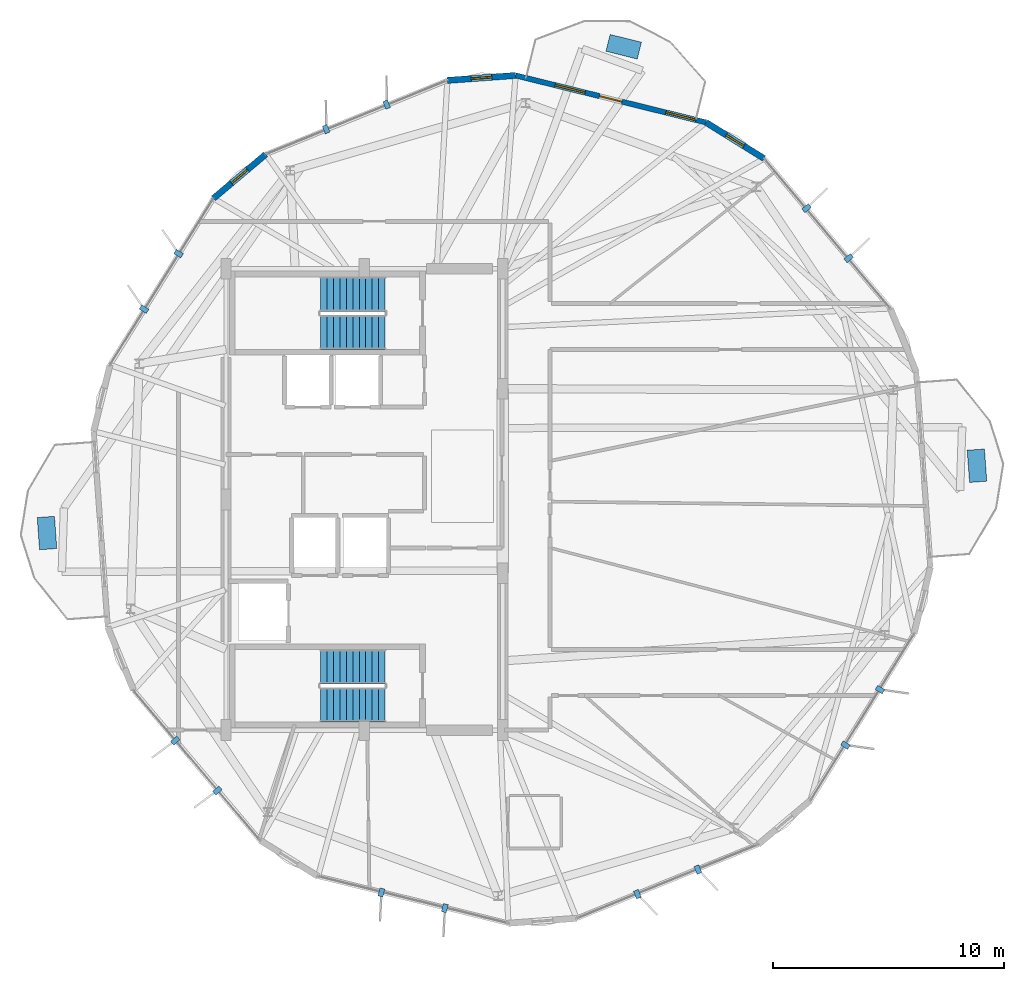
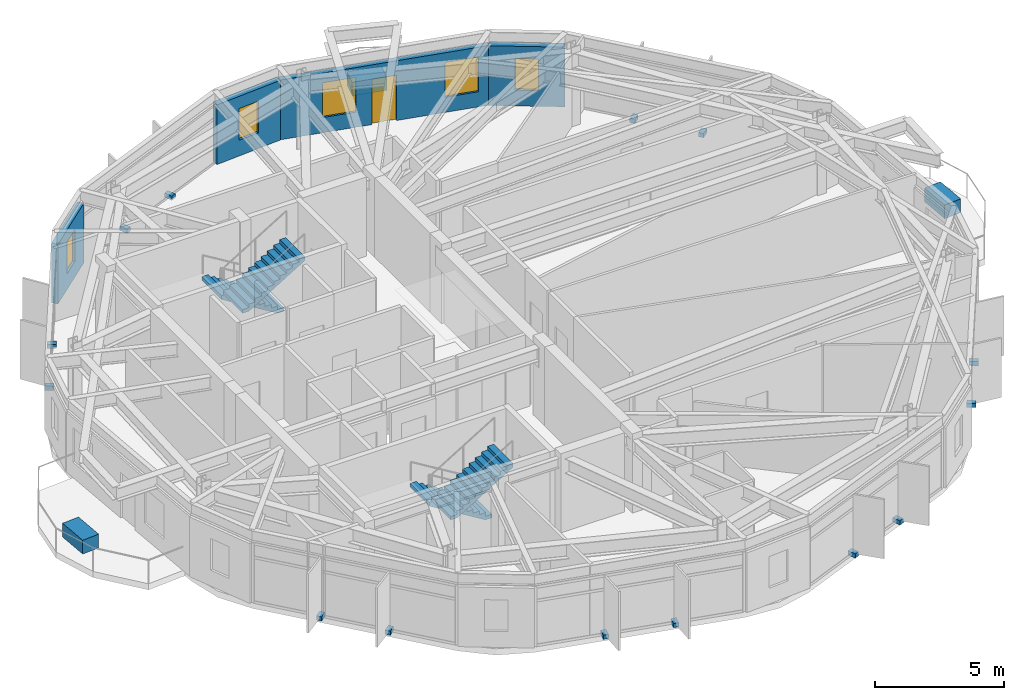
# One storey, part 23 of 26: 17 discrete accessories, 5 windows, 4 stair flights, 4 walls, 1 door, 6 openings, 2 elements without a shape of their own.
"""IFC4 building model written with IfcOpenShell, lengths in metres."""

import ifcopenshell
import ifcopenshell.guid

model = None  # the IFC model being written
_history = None  # IfcOwnerHistory: only IFC2X3 demands one
_inside = {}  # id of a spatial element -> (the spatial element, [elements in it])
_under = {}  # id of a project, library or spatial element -> (it, [spatial elements below it])
_declared = {}  # id of a project -> (the project, [libraries it declares])
_typed = {}  # id of a type object -> (the type object, [elements of that type])
_made_of = {}  # id of a material, layer set ... -> (it, [elements and type objects made of it])


def new_model(schema):
    """Start an empty IFC model of exactly this schema.

    Asked for "IFC4X3", IfcOpenShell would pick the latest addendum, in which some entities
    have other attributes; the version numbers below select the first issue.
    IFC2X3 requires an IfcOwnerHistory on every rooted entity: one is made here for all.
    """
    global model, _history
    if schema == "IFC4X3":
        model = ifcopenshell.file(schema_version=(4, 3, 0, 0))
    else:
        model = ifcopenshell.file(schema=schema)
    _inside.clear()
    _under.clear()
    _declared.clear()
    _typed.clear()
    _made_of.clear()
    _history = None
    if model.schema == "IFC2X3":
        org = make("IfcOrganization", Name="unknown")
        user = make(
            "IfcPersonAndOrganization",
            ThePerson=make("IfcPerson", FamilyName="unknown"),
            TheOrganization=org,
        )
        app = make(
            "IfcApplication",
            ApplicationDeveloper=org,
            Version="unknown",
            ApplicationFullName="unknown",
            ApplicationIdentifier="unknown",
        )
        _history = make(
            "IfcOwnerHistory",
            OwningUser=user,
            OwningApplication=app,
            ChangeAction="ADDED",
            CreationDate=0,
        )
    return model


def make(cls, **values):
    """One entity of the class cls with the attributes given. An attribute that is None is left unset."""
    return model.create_entity(
        cls, **{name: value for name, value in values.items() if value is not None}
    )


def rooted(cls, **values):
    """An entity with a GlobalId (a new one), such as an element, a storey or a relation."""
    return make(cls, GlobalId=ifcopenshell.guid.new(), OwnerHistory=_history, **values)


def si_unit(unit_type, name, prefix=None):
    """IfcSIUnit, for example si_unit("LENGTHUNIT", "METRE", prefix="MILLI")."""
    return make("IfcSIUnit", UnitType=unit_type, Prefix=prefix, Name=name)


def assignment(units):
    """IfcUnitAssignment: the units of a project."""
    return None if units is None else make("IfcUnitAssignment", Units=units)


def point(xyz):
    """IfcCartesianPoint."""
    return None if xyz is None else make("IfcCartesianPoint", Coordinates=xyz)


def direction(xyz):
    """IfcDirection."""
    return None if xyz is None else make("IfcDirection", DirectionRatios=xyz)


def frame(location, z_axis=None, x_axis=None):
    """IfcAxis2Placement3D, a coordinate frame: its origin and axes. An axis left out is left unset."""
    return make(
        "IfcAxis2Placement3D",
        Location=point(location),
        Axis=direction(z_axis),
        RefDirection=direction(x_axis),
    )


def frame_2d(location, x_axis=None):
    """IfcAxis2Placement2D, a coordinate frame in the plane: its origin and x axis."""
    return make(
        "IfcAxis2Placement2D", Location=point(location), RefDirection=direction(x_axis)
    )


def origin():
    """The frame at (0, 0, 0) with its axes left unset."""
    return frame((0.0, 0.0, 0.0))


def origin_2d():
    """The frame at (0, 0) in the plane with its x axis left unset."""
    return frame_2d((0.0, 0.0))


def place(relative_to, where):
    """IfcLocalPlacement: puts the frame where relative to a parent placement (None: the world)."""
    return make(
        "IfcLocalPlacement", PlacementRelTo=relative_to, RelativePlacement=where
    )


def context(
    kind, dimensions, precision=None, world=None, true_north=None, identifier=None
):
    """IfcGeometricRepresentationContext, for example the 3D "Model" context."""
    return make(
        "IfcGeometricRepresentationContext",
        ContextIdentifier=identifier,
        ContextType=kind,
        CoordinateSpaceDimension=dimensions,
        Precision=precision,
        WorldCoordinateSystem=world,
        TrueNorth=true_north,
    )


def subcontext(parent, identifier, kind, view, scale=None):
    """IfcGeometricRepresentationSubContext, for example "Body" below "Model"."""
    return make(
        "IfcGeometricRepresentationSubContext",
        ContextIdentifier=identifier,
        ContextType=kind,
        ParentContext=parent,
        TargetScale=scale,
        TargetView=view,
    )


def project(units=None, contexts=None):
    """IfcProject with its units and contexts."""
    return rooted(
        "IfcProject",
        Name="project",
        RepresentationContexts=contexts,
        UnitsInContext=assignment(units),
    )


def spatial(cls, under=None, at=None, **own):
    """A site, building, storey or space (cls), placed at a placement, below another one or the project."""
    s = rooted(cls, ObjectPlacement=at, **own)
    if under is not None:
        _under.setdefault(under.id(), (under, []))[1].append(s)
    return s


def polyline(points):
    """IfcPolyline through the points."""
    return make("IfcPolyline", Points=[point(p) for p in points])


def profile(cls, at=None, kind="AREA", **sizes):
    """A parametric profile (cls). Its sizes go by their IFC names, for example OverallWidth=200.0."""
    return make(cls, ProfileType=kind, Position=at, **sizes)


def rectangle(**sizes):
    """IfcRectangleProfileDef."""
    return profile("IfcRectangleProfileDef", **sizes)


def outline(outer, holes=None, kind="AREA"):
    """IfcArbitraryClosedProfileDef: a profile drawn as a closed curve; with holes, ...WithVoids."""
    if holes is None:
        return make("IfcArbitraryClosedProfileDef", ProfileType=kind, OuterCurve=outer)
    return make(
        "IfcArbitraryProfileDefWithVoids",
        ProfileType=kind,
        OuterCurve=outer,
        InnerCurves=holes,
    )


def extrude(swept, where, along, depth):
    """IfcExtrudedAreaSolid: the profile swept, set in the frame where, extruded along a direction by depth."""
    return make(
        "IfcExtrudedAreaSolid",
        SweptArea=swept,
        Position=where,
        ExtrudedDirection=direction(along),
        Depth=depth,
    )


def shape(context_of_items, identifier, shape_type, items):
    """IfcShapeRepresentation: the items that make up one representation, for example the "Body"."""
    return make(
        "IfcShapeRepresentation",
        ContextOfItems=context_of_items,
        RepresentationIdentifier=identifier,
        RepresentationType=shape_type,
        Items=items,
    )


def material(Name=None, Category=None):
    """IfcMaterial."""
    return make("IfcMaterial", Name=Name, Category=Category)


def layer(
    of_material, thickness, ventilated=None, Name=None, Category=None, Priority=None
):
    """IfcMaterialLayer: one layer of a wall or slab, of a material (None: an air gap)."""
    return make(
        "IfcMaterialLayer",
        Material=of_material,
        LayerThickness=thickness,
        IsVentilated=ventilated,
        Name=Name,
        Category=Category,
        Priority=Priority,
    )


def layer_set(layers, Name=None):
    """IfcMaterialLayerSet."""
    return make("IfcMaterialLayerSet", MaterialLayers=layers, LayerSetName=Name)


def made_of(thing, what):
    """Note that an element or type object is made of a material, layer set ...; save() writes the relation."""
    if what is not None:
        _made_of.setdefault(what.id(), (what, []))[1].append(thing)
    return thing


def type_object(cls, material=None, **own):
    """A type object (cls), such as IfcWallType, which elements share."""
    return made_of(rooted(cls, **own), material)


def element(
    cls,
    number,
    at=None,
    inside=None,
    cuts=None,
    type_object=None,
    material=None,
    context=None,
    identifier="Body",
    shape_type=None,
    held_by="IfcProductDefinitionShape",
    body=None,
    shapes=None,
    **own,
):
    """One element of the class cls, such as IfcWall. Its Tag is "e" and its number.

    at: its placement. inside: the storey or other place that contains it. cuts: it is an
    opening in that element (IfcRelVoidsElement). A single representation is given by context,
    identifier, shape_type and body (its items); several are given by shapes. held_by: the class
    of the entity that holds the representations. save() writes the other relations.
    """
    e = rooted(cls, Tag="e%d" % number, ObjectPlacement=at, **own)
    if body is not None:
        shapes = [shape(context, identifier, shape_type, body)]
    if shapes is not None:
        e.Representation = make(held_by, Representations=shapes)
    if inside is not None:
        _inside.setdefault(inside.id(), (inside, []))[1].append(e)
    if cuts is not None:
        rooted(
            "IfcRelVoidsElement", RelatingBuildingElement=cuts, RelatedOpeningElement=e
        )
    if type_object is not None:
        _typed.setdefault(type_object.id(), (type_object, []))[1].append(e)
    return made_of(e, material)


def fill(opening, filler):
    """IfcRelFillsElement: the door or window that sits in an opening."""
    return rooted(
        "IfcRelFillsElement",
        RelatingOpeningElement=opening,
        RelatedBuildingElement=filler,
    )


def aggregate(whole, parts):
    """IfcRelAggregates: a whole, such as a stair, and the parts it consists of."""
    return rooted("IfcRelAggregates", RelatingObject=whole, RelatedObjects=parts)


def save(model, path):
    """Write the relations noted so far, then the file.

    IfcRelAggregates (storeys below a building ...), IfcRelContainedInSpatialStructure (elements
    in a storey), IfcRelDefinesByType, IfcRelAssociatesMaterial and IfcRelDeclares: one each for
    every whole, place, type object, material and project.
    """
    for whole, parts in _under.values():
        aggregate(whole, parts)
    for where, things in _inside.values():
        rooted(
            "IfcRelContainedInSpatialStructure",
            RelatedElements=things,
            RelatingStructure=where,
        )
    for kind, things in _typed.values():
        rooted("IfcRelDefinesByType", RelatedObjects=things, RelatingType=kind)
    for what, things in _made_of.values():
        rooted("IfcRelAssociatesMaterial", RelatedObjects=things, RelatingMaterial=what)
    for by, libraries in _declared.values():
        rooted("IfcRelDeclares", RelatingContext=by, RelatedDefinitions=libraries)
    model.write(path)


model = new_model("IFC4")

# Units and contexts
model_context = context("Model", 3, precision=1e-05, world=origin(), true_north=direction((0.0, 1.0)))
body_context = subcontext(model_context, "Body", "Model", "MODEL_VIEW")
ifc_project = project(units=[si_unit("LENGTHUNIT", "METRE"), si_unit("AREAUNIT", "SQUARE_METRE"), si_unit("VOLUMEUNIT", "CUBIC_METRE"), si_unit("PLANEANGLEUNIT", "RADIAN"), si_unit("MASSUNIT", "GRAM", prefix="KILO")], contexts=[model_context])

# Site, building, storey
site_placement = place(None, origin())
site = spatial("IfcSite", under=ifc_project, at=site_placement, CompositionType="ELEMENT")
building_placement = place(site_placement, origin())
building = spatial("IfcBuilding", under=site, at=building_placement, Name="Soratama Intermodal Tower", CompositionType="ELEMENT")
storey_placement = place(building_placement, frame((0.0, 0.0, 246.25)))
storey = spatial("IfcBuildingStorey", under=building, at=storey_placement, Name="L62", CompositionType="ELEMENT", Elevation=246.25)

# Wall, openings, door, windows
ifc_material_1 = material(Name="Concrete f'c 42 MPa", Category="concrete")
ifc_layer_1 = layer(ifc_material_1, 0.22998046875)
ifc_layer_set_1 = layer_set([ifc_layer_1], Name="Concrete f'c 42 MPa")
wall_type_1 = type_object("IfcWallType", Name="EW-BAL-230", PredefinedType="SOLIDWALL", material=ifc_layer_set_1)
wall_1_placement = place(storey_placement, frame((53.4091796875, 41.34130859375, 0.0), z_axis=(0.0, 0.0, 1.0), x_axis=(-0.970889723336, 0.239526919408, 0.0)))
wall_1 = element("IfcWall", 1, at=wall_1_placement, inside=storey, type_object=wall_type_1, Name="L62 Terrace Wall F01", PredefinedType="SOLIDWALL", context=body_context, shape_type="SweptSolid", body=[
    extrude(rectangle(XDim=8.49951171875, YDim=0.22998046875, at=frame_2d((4.249755859375, 0.0))), origin(), (0.0, 0.0, 1.0), 2.8291015625),
])
opening_1_placement = place(wall_1_placement, frame((3.75, 0.0, 0.0)))
opening_1 = element("IfcOpeningElement", 2, at=opening_1_placement, cuts=wall_1, Name="Opening ED-2", PredefinedType="OPENING", context=body_context, shape_type="SweptSolid", body=[
    extrude(rectangle(XDim=1.0, YDim=2.14990234375, at=frame_2d((0.5, 1.074951171875))), frame((0.0, 0.125, 0.0), z_axis=(0.0, -1.0, 0.0), x_axis=(1.0, 0.0, 0.0)), (0.0, 0.0, 1.0), 0.25),
])
opening_2_placement = place(wall_1_placement, frame((0.43994140625, 0.0, 0.719970703125)))
opening_2 = element("IfcOpeningElement", 3, at=opening_2_placement, cuts=wall_1, Name="Opening WN-4", PredefinedType="OPENING", context=body_context, shape_type="SweptSolid", body=[
    extrude(rectangle(XDim=1.35009765625, YDim=1.64990234375, at=frame_2d((0.675048828125, 0.824951171875))), frame((0.0, 0.125, 0.0), z_axis=(0.0, -1.0, 0.0), x_axis=(1.0, 0.0, 0.0)), (0.0, 0.0, 1.0), 0.25),
])
opening_3_placement = place(wall_1_placement, frame((5.389892578125, 0.0, 0.719970703125)))
opening_3 = element("IfcOpeningElement", 4, at=opening_3_placement, cuts=wall_1, Name="Opening WN-4", PredefinedType="OPENING", context=body_context, shape_type="SweptSolid", body=[
    extrude(rectangle(XDim=1.35009765625, YDim=1.64990234375, at=frame_2d((0.675048828125, 0.824951171875))), frame((0.0, 0.125, 0.0), z_axis=(0.0, -1.0, 0.0), x_axis=(1.0, 0.0, 0.0)), (0.0, 0.0, 1.0), 0.25),
])
ifc_material_2 = material(Name="Double-glazed aluminium door", Category="aluminium")
door_type = type_object("IfcDoorType", Name="DR-BAL-1000", OperationType="NOTDEFINED", PredefinedType="DOOR", material=ifc_material_2)
door_placement = place(opening_1_placement, origin())
door = element("IfcDoor", 5, at=door_placement, inside=storey, type_object=door_type, Name="L62 Balcony Door F01", OperationType="SINGLE_SWING_LEFT", OverallHeight=2.14990234375, OverallWidth=1.0, PredefinedType="DOOR", context=body_context, shape_type="SweptSolid", body=[
    extrude(rectangle(XDim=1.0, YDim=2.14990234375, at=frame_2d((0.5, 1.074951171875))), frame((0.0, 0.02490234375, 0.0), z_axis=(0.0, -1.0, 0.0), x_axis=(1.0, 0.0, 0.0)), (0.0, 0.0, 1.0), 0.050048828125),
])
fill(opening_1, door)
ifc_material_3 = material(Name="Double-glazed aluminium window", Category="aluminium")
window_type_1 = type_object("IfcWindowType", Name="WN-FAC-1350", PartitioningType="SINGLE_PANEL", PredefinedType="WINDOW", material=ifc_material_3)
window_1_placement = place(opening_2_placement, origin())
window_1 = element("IfcWindow", 6, at=window_1_placement, inside=storey, type_object=window_type_1, Name="L62 Window A F01", OverallHeight=1.64990234375, OverallWidth=1.35009765625, PartitioningType="SINGLE_PANEL", PredefinedType="WINDOW", context=body_context, shape_type="SweptSolid", body=[
    extrude(rectangle(XDim=1.35009765625, YDim=1.64990234375, at=frame_2d((0.675048828125, 0.824951171875))), frame((0.0, 0.030029296875, 0.0), z_axis=(0.0, -1.0, 0.0), x_axis=(1.0, 0.0, 0.0)), (0.0, 0.0, 1.0), 0.06005859375),
])
fill(opening_2, window_1)
window_2_placement = place(opening_3_placement, origin())
window_2 = element("IfcWindow", 7, at=window_2_placement, inside=storey, type_object=window_type_1, Name="L62 Window B F01", OverallHeight=1.64990234375, OverallWidth=1.35009765625, PartitioningType="SINGLE_PANEL", PredefinedType="WINDOW", context=body_context, shape_type="SweptSolid", body=[
    extrude(rectangle(XDim=1.35009765625, YDim=1.64990234375, at=frame_2d((0.675048828125, 0.824951171875))), frame((0.0, 0.030029296875, 0.0), z_axis=(0.0, -1.0, 0.0), x_axis=(1.0, 0.0, 0.0)), (0.0, 0.0, 1.0), 0.06005859375),
])
fill(opening_3, window_2)

# Wall, opening, window
ifc_material_4 = material(Name="Concrete f'c 42 MPa", Category="concrete")
ifc_layer_2 = layer(ifc_material_4, 0.27001953125)
ifc_layer_set_2 = layer_set([ifc_layer_2], Name="Concrete f'c 42 MPa")
wall_type_2 = type_object("IfcWallType", Name="EW-CRN-270", PredefinedType="SOLIDWALL", material=ifc_layer_set_2)
wall_2_placement = place(storey_placement, frame((45.156982421875, 43.377197265625, 0.0), z_axis=(0.0, 0.0, 1.0), x_axis=(-0.997392270269, -0.072171041339, 0.0)))
wall_2 = element("IfcWall", 8, at=wall_2_placement, inside=storey, type_object=wall_type_2, Name="L62 Corner Closure Wall 01", PredefinedType="SOLIDWALL", context=body_context, shape_type="SweptSolid", body=[
    extrude(rectangle(XDim=2.966796875, YDim=0.27001953125, at=frame_2d((1.4833984375, 0.0))), origin(), (0.0, 0.0, 1.0), 2.8291015625),
])
opening_4_placement = place(wall_2_placement, frame((1.033203125, 0.0, 0.75)))
opening_4 = element("IfcOpeningElement", 9, at=opening_4_placement, cuts=wall_2, Name="Opening WN-6", PredefinedType="OPENING", context=body_context, shape_type="SweptSolid", body=[
    extrude(rectangle(XDim=0.89990234375, YDim=1.5, at=frame_2d((0.449951171875, 0.75))), frame((0.0, 0.14501953125, 0.0), z_axis=(0.0, -1.0, 0.0), x_axis=(1.0, 0.0, 0.0)), (0.0, 0.0, 1.0), 0.2900390625),
])
ifc_material_5 = material(Name="Double-glazed aluminium window", Category="aluminium")
window_type_2 = type_object("IfcWindowType", Name="WN-FAC-900", PartitioningType="SINGLE_PANEL", PredefinedType="WINDOW", material=ifc_material_5)
window_3_placement = place(opening_4_placement, origin())
window_3 = element("IfcWindow", 10, at=window_3_placement, inside=storey, type_object=window_type_2, Name="L62 Corner Window 01", OverallHeight=1.5, OverallWidth=0.89990234375, PartitioningType="SINGLE_PANEL", PredefinedType="WINDOW", context=body_context, shape_type="SweptSolid", body=[
    extrude(rectangle(XDim=0.89990234375, YDim=1.5, at=frame_2d((0.449951171875, 0.75))), frame((0.0, 0.030029296875, 0.0), z_axis=(0.0, -1.0, 0.0), x_axis=(1.0, 0.0, 0.0)), (0.0, 0.0, 1.0), 0.06005859375),
])
fill(opening_4, window_3)

wall_3_placement = place(storey_placement, frame((34.3251953125, 39.959716796875, 0.0), z_axis=(0.0, 0.0, 1.0), x_axis=(-0.764511985062, -0.644609513347, 0.0)))
wall_3 = element("IfcWall", 11, at=wall_3_placement, inside=storey, type_object=wall_type_2, Name="L62 Corner Closure Wall 02", PredefinedType="SOLIDWALL", context=body_context, shape_type="SweptSolid", body=[
    extrude(rectangle(XDim=2.966796875, YDim=0.27001953125, at=frame_2d((1.4833984375, 0.0))), origin(), (0.0, 0.0, 1.0), 2.8291015625),
])
opening_5_placement = place(wall_3_placement, frame((1.033203125, 0.0, 0.75)))
opening_5 = element("IfcOpeningElement", 12, at=opening_5_placement, cuts=wall_3, Name="Opening WN-6", PredefinedType="OPENING", context=body_context, shape_type="SweptSolid", body=[
    extrude(rectangle(XDim=0.89990234375, YDim=1.5, at=frame_2d((0.449951171875, 0.75))), frame((0.0, 0.14501953125, 0.0), z_axis=(0.0, -1.0, 0.0), x_axis=(1.0, 0.0, 0.0)), (0.0, 0.0, 1.0), 0.2900390625),
])
window_4_placement = place(opening_5_placement, origin())
window_4 = element("IfcWindow", 13, at=window_4_placement, inside=storey, type_object=window_type_2, Name="L62 Corner Window 02", OverallHeight=1.5, OverallWidth=0.89990234375, PartitioningType="SINGLE_PANEL", PredefinedType="WINDOW", context=body_context, shape_type="SweptSolid", body=[
    extrude(rectangle(XDim=0.89990234375, YDim=1.5, at=frame_2d((0.449951171875, 0.75))), frame((0.0, 0.030029296875, 0.0), z_axis=(0.0, -1.0, 0.0), x_axis=(1.0, 0.0, 0.0)), (0.0, 0.0, 1.0), 0.06005859375),
])
fill(opening_5, window_4)

wall_4_placement = place(storey_placement, frame((55.928955078125, 39.775390625, 0.0), z_axis=(0.0, 0.0, 1.0), x_axis=(-0.849350139028, 0.527829841268, 0.0)))
wall_4 = element("IfcWall", 14, at=wall_4_placement, inside=storey, type_object=wall_type_2, Name="L62 Corner Closure Wall 10", PredefinedType="SOLIDWALL", context=body_context, shape_type="SweptSolid", body=[
    extrude(rectangle(XDim=2.966796875, YDim=0.27001953125, at=frame_2d((1.4833984375, 0.0))), origin(), (0.0, 0.0, 1.0), 2.8291015625),
])
opening_6_placement = place(wall_4_placement, frame((1.033203125, 0.0, 0.75)))
opening_6 = element("IfcOpeningElement", 15, at=opening_6_placement, cuts=wall_4, Name="Opening WN-6", PredefinedType="OPENING", context=body_context, shape_type="SweptSolid", body=[
    extrude(rectangle(XDim=0.89990234375, YDim=1.5, at=frame_2d((0.449951171875, 0.75))), frame((0.0, 0.14501953125, 0.0), z_axis=(0.0, -1.0, 0.0), x_axis=(1.0, 0.0, 0.0)), (0.0, 0.0, 1.0), 0.2900390625),
])
window_5_placement = place(opening_6_placement, origin())
window_5 = element("IfcWindow", 16, at=window_5_placement, inside=storey, type_object=window_type_2, Name="L62 Corner Window 10", OverallHeight=1.5, OverallWidth=0.89990234375, PartitioningType="SINGLE_PANEL", PredefinedType="WINDOW", context=body_context, shape_type="SweptSolid", body=[
    extrude(rectangle(XDim=0.89990234375, YDim=1.5, at=frame_2d((0.449951171875, 0.75))), frame((0.0, 0.030029296875, 0.0), z_axis=(0.0, -1.0, 0.0), x_axis=(1.0, 0.0, 0.0)), (0.0, 0.0, 1.0), 0.06005859375),
])
fill(opening_6, window_5)

# Stair, stair flights
ifc_material_6 = material(Name="Concrete f'c 42 MPa", Category="concrete")
stair_type = type_object("IfcStairType", Name="ST-CORE-DOGLEG", PredefinedType="HALF_TURN_STAIR", material=ifc_material_6)
stair_1_placement = place(storey_placement, origin())
stair_1 = element("IfcStair", 17, at=stair_1_placement, inside=storey, type_object=stair_type, Name="L62 ST-1", PredefinedType="HALF_TURN_STAIR")
ifc_material_7 = material(Name="Precast concrete f'c 40 MPa", Category="concrete")
ifc_layer_3 = layer(ifc_material_7, 0.199951171875)
ifc_layer_set_3 = layer_set([ifc_layer_3], Name="Precast concrete f'c 40 MPa")
stair_flight_type = type_object("IfcStairFlightType", Name="SF-FLIGHT-RC", PredefinedType="STRAIGHT", material=ifc_layer_set_3)
stair_flight_1_placement = place(storey_placement, frame((39.5, 17.75, 0.0), z_axis=(0.0, 0.0, 1.0), x_axis=(-1.0, 0.0, 0.0)))
stair_flight_1 = element("IfcStairFlight", 18, at=stair_flight_1_placement, type_object=stair_flight_type, Name="ST-1 flight 1", NumberOfRisers=11, NumberOfTreads=10, PredefinedType="STRAIGHT", RiserHeight=0.170454545, TreadLength=0.28, context=body_context, shape_type="SweptSolid", body=[
    extrude(outline(polyline([(0.0, 0.0), (0.0, 0.17041015625), (0.280029296875, 0.17041015625), (0.280029296875, 0.3408203125), (0.56005859375, 0.3408203125), (0.56005859375, 0.511474609375), (0.840087890625, 0.511474609375), (0.840087890625, 0.681884765625), (1.1201171875, 0.681884765625), (1.1201171875, 0.852294921875), (1.39990234375, 0.852294921875), (1.39990234375, 1.022705078125), (1.679931640625, 1.022705078125), (1.679931640625, 1.193115234375), (1.9599609375, 1.193115234375), (1.9599609375, 1.363525390625), (2.239990234375, 1.363525390625), (2.239990234375, 1.5341796875), (2.52001953125, 1.5341796875), (2.52001953125, 1.70458984375), (2.800048828125, 1.70458984375), (2.800048828125, 1.875), (2.800048828125, 1.529052734375), (0.288330078125, 0.0), (0.0, 0.0)])), frame((0.0, 0.75, 0.0), z_axis=(0.0, -1.0, 0.0), x_axis=(1.0, 0.0, 0.0)), (0.0, 0.0, 1.0), 1.5),
])
stair_flight_2_placement = place(storey_placement, frame((36.699951171875, 16.10009765625, 1.875), z_axis=(0.0, 0.0, 1.0), x_axis=(1.0, 0.0, 0.0)))
stair_flight_2 = element("IfcStairFlight", 19, at=stair_flight_2_placement, type_object=stair_flight_type, Name="ST-1 flight 2", NumberOfRisers=11, NumberOfTreads=10, PredefinedType="STRAIGHT", RiserHeight=0.170454545, TreadLength=0.28, context=body_context, shape_type="SweptSolid", body=[
    extrude(outline(polyline([(0.0, 0.0), (0.0, 0.17041015625), (0.280029296875, 0.17041015625), (0.280029296875, 0.3408203125), (0.56005859375, 0.3408203125), (0.56005859375, 0.511474609375), (0.840087890625, 0.511474609375), (0.840087890625, 0.681884765625), (1.1201171875, 0.681884765625), (1.1201171875, 0.852294921875), (1.39990234375, 0.852294921875), (1.39990234375, 1.022705078125), (1.679931640625, 1.022705078125), (1.679931640625, 1.193115234375), (1.9599609375, 1.193115234375), (1.9599609375, 1.363525390625), (2.239990234375, 1.363525390625), (2.239990234375, 1.5341796875), (2.52001953125, 1.5341796875), (2.52001953125, 1.70458984375), (2.800048828125, 1.70458984375), (2.800048828125, 1.875), (2.800048828125, 1.529052734375), (0.288330078125, 0.0), (0.0, 0.0)])), frame((0.0, 0.75, 0.0), z_axis=(0.0, -1.0, 0.0), x_axis=(1.0, 0.0, 0.0)), (0.0, 0.0, 1.0), 1.5),
])
aggregate(stair_1, [stair_flight_1, stair_flight_2])

stair_2_placement = place(storey_placement, origin())
stair_2 = element("IfcStair", 20, at=stair_2_placement, inside=storey, type_object=stair_type, Name="L62 ST-2", PredefinedType="HALF_TURN_STAIR")
stair_flight_3_placement = place(storey_placement, frame((39.5, 33.89990234375, 0.0), z_axis=(0.0, 0.0, 1.0), x_axis=(-1.0, 0.0, 0.0)))
stair_flight_3 = element("IfcStairFlight", 21, at=stair_flight_3_placement, type_object=stair_flight_type, Name="ST-2 flight 1", NumberOfRisers=11, NumberOfTreads=10, PredefinedType="STRAIGHT", RiserHeight=0.170454545, TreadLength=0.28, context=body_context, shape_type="SweptSolid", body=[
    extrude(outline(polyline([(0.0, 0.0), (0.0, 0.17041015625), (0.280029296875, 0.17041015625), (0.280029296875, 0.3408203125), (0.56005859375, 0.3408203125), (0.56005859375, 0.511474609375), (0.840087890625, 0.511474609375), (0.840087890625, 0.681884765625), (1.1201171875, 0.681884765625), (1.1201171875, 0.852294921875), (1.39990234375, 0.852294921875), (1.39990234375, 1.022705078125), (1.679931640625, 1.022705078125), (1.679931640625, 1.193115234375), (1.9599609375, 1.193115234375), (1.9599609375, 1.363525390625), (2.239990234375, 1.363525390625), (2.239990234375, 1.5341796875), (2.52001953125, 1.5341796875), (2.52001953125, 1.70458984375), (2.800048828125, 1.70458984375), (2.800048828125, 1.875), (2.800048828125, 1.529052734375), (0.288330078125, 0.0), (0.0, 0.0)])), frame((0.0, 0.75, 0.0), z_axis=(0.0, -1.0, 0.0), x_axis=(1.0, 0.0, 0.0)), (0.0, 0.0, 1.0), 1.5),
])
stair_flight_4_placement = place(storey_placement, frame((36.699951171875, 32.25, 1.875), z_axis=(0.0, 0.0, 1.0), x_axis=(1.0, 0.0, 0.0)))
stair_flight_4 = element("IfcStairFlight", 22, at=stair_flight_4_placement, type_object=stair_flight_type, Name="ST-2 flight 2", NumberOfRisers=11, NumberOfTreads=10, PredefinedType="STRAIGHT", RiserHeight=0.170454545, TreadLength=0.28, context=body_context, shape_type="SweptSolid", body=[
    extrude(outline(polyline([(0.0, 0.0), (0.0, 0.17041015625), (0.280029296875, 0.17041015625), (0.280029296875, 0.3408203125), (0.56005859375, 0.3408203125), (0.56005859375, 0.511474609375), (0.840087890625, 0.511474609375), (0.840087890625, 0.681884765625), (1.1201171875, 0.681884765625), (1.1201171875, 0.852294921875), (1.39990234375, 0.852294921875), (1.39990234375, 1.022705078125), (1.679931640625, 1.022705078125), (1.679931640625, 1.193115234375), (1.9599609375, 1.193115234375), (1.9599609375, 1.363525390625), (2.239990234375, 1.363525390625), (2.239990234375, 1.5341796875), (2.52001953125, 1.5341796875), (2.52001953125, 1.70458984375), (2.800048828125, 1.70458984375), (2.800048828125, 1.875), (2.800048828125, 1.529052734375), (0.288330078125, 0.0), (0.0, 0.0)])), frame((0.0, 0.75, 0.0), z_axis=(0.0, -1.0, 0.0), x_axis=(1.0, 0.0, 0.0)), (0.0, 0.0, 1.0), 1.5),
])
aggregate(stair_2, [stair_flight_3, stair_flight_4])

# Discrete accessories
ifc_material_8 = material(Name="Structural steel ASTM A992 Grade 50", Category="steel")
discrete_accessory_type_1 = type_object("IfcDiscreteAccessoryType", Name="AC-FIN-BRACKET", PredefinedType="BRACKET", material=ifc_material_8)
for number, where, z_axis, x_axis, name in (
    (23, (39.566162109375, 42.114013671875, -0.080078125), (0.0, 0.0, 1.0), (-0.376871010412, 0.926265751019, 0.0), "L62 Fin Bracket F02-1"),
    (24, (36.94189453125, 41.046142578125, -0.080078125), (0.0, 0.0, 1.0), (-0.376871010412, 0.926265751019, 0.0), "L62 Fin Bracket F02-2"),
    (25, (30.544677734375, 35.651611328125, -0.080078125), (0.0, 0.0, 1.0), (-0.849340400263, 0.527845511945, 0.0), "L62 Fin Bracket F03-1"),
    (26, (29.049072265625, 33.2451171875, -0.080078125), (0.0, 0.0, 1.0), (-0.849340400263, 0.527845511945, 0.0), "L62 Fin Bracket F03-2"),
    (27, (30.40283203125, 14.543701171875, -0.080078125), (0.0, 0.0, 1.0), (-0.764471531423, -0.644657488628, 0.0), "L62 Fin Bracket F05-1"),
    (28, (32.229248046875, 12.377685546875, -0.080078125), (0.0, 0.0, 1.0), (-0.764471531423, -0.644657488628, 0.0), "L62 Fin Bracket F05-2"),
    (29, (39.336669921875, 7.960693359375, -0.080078125), (0.0, 0.0, 1.0), (-0.239550296042, -0.970883955819, 0.0), "L62 Fin Bracket F06-1"),
    (30, (42.08740234375, 7.281982421875, -0.080078125), (0.0, 0.0, 1.0), (-0.239550296042, -0.970883955819, 0.0), "L62 Fin Bracket F06-2"),
    (31, (50.433837890625, 7.885986328125, -0.080078125), (0.0, 0.0, 1.0), (0.376871010412, -0.926265751019, 0.0), "L62 Fin Bracket F07-1"),
    (32, (53.05810546875, 8.953857421875, -0.080078125), (0.0, 0.0, 1.0), (0.376871010412, -0.926265751019, 0.0), "L62 Fin Bracket F07-2"),
    (33, (59.455322265625, 14.348388671875, -0.080078125), (0.0, 0.0, 1.0), (0.849340400263, -0.527845511945, 0.0), "L62 Fin Bracket F08-1"),
    (34, (60.950927734375, 16.7548828125, -0.080078125), (0.0, 0.0, 1.0), (0.849340400263, -0.527845511945, 0.0), "L62 Fin Bracket F08-2"),
    (35, (59.59716796875, 35.456298828125, -0.080078125), (0.0, 0.0, 1.0), (0.764471531423, 0.644657488628, 0.0), "L62 Fin Bracket F10-1"),
    (36, (57.770751953125, 37.622314453125, -0.080078125), (0.0, 0.0, 1.0), (0.764471531423, 0.644657488628, 0.0), "L62 Fin Bracket F10-2"),
):
    element("IfcDiscreteAccessory", number, at=place(storey_placement, frame(where, z_axis=z_axis, x_axis=x_axis)), inside=storey, type_object=discrete_accessory_type_1, Name=name, PredefinedType="BRACKET", context=body_context, shape_type="SweptSolid", body=[
        extrude(rectangle(XDim=0.360107421875, YDim=0.219970703125, at=origin_2d()), origin(), (0.0, 0.0, 1.0), 0.199951171875),
    ])
ifc_material_9 = material(Name="Precast concrete f'c 40 MPa", Category="concrete")
discrete_accessory_type_2 = type_object("IfcDiscreteAccessoryType", Name="AC-PLANTER-TREE", PredefinedType="USERDEFINED", material=ifc_material_9)
for number, where, z_axis, x_axis, name in (
    (37, (65.156982421875, 26.458984375, 0.0), (0.0, 0.0, 1.0), (0.997390625232, 0.072193771883, 0.0), "L62 Tree Planter 1"),
    (38, (49.84130859375, 44.621337890625, 0.0), (0.0, 0.0, 1.0), (0.239550296042, 0.970883955819, 0.0), "L62 Tree Planter 2"),
    (39, (24.843017578125, 23.541015625, 0.0), (0.0, 0.0, 1.0), (-0.997390625232, -0.072193771883, 0.0), "L62 Tree Planter 3"),
):
    element("IfcDiscreteAccessory", number, at=place(storey_placement, frame(where, z_axis=z_axis, x_axis=x_axis)), inside=storey, type_object=discrete_accessory_type_2, Name=name, ObjectType="PLANTER", PredefinedType="USERDEFINED", context=body_context, shape_type="SweptSolid", body=[
        extrude(rectangle(XDim=0.75, YDim=1.39990234375, at=origin_2d()), origin(), (0.0, 0.0, 1.0), 0.64990234375),
    ])

save(model, "model.ifc")
